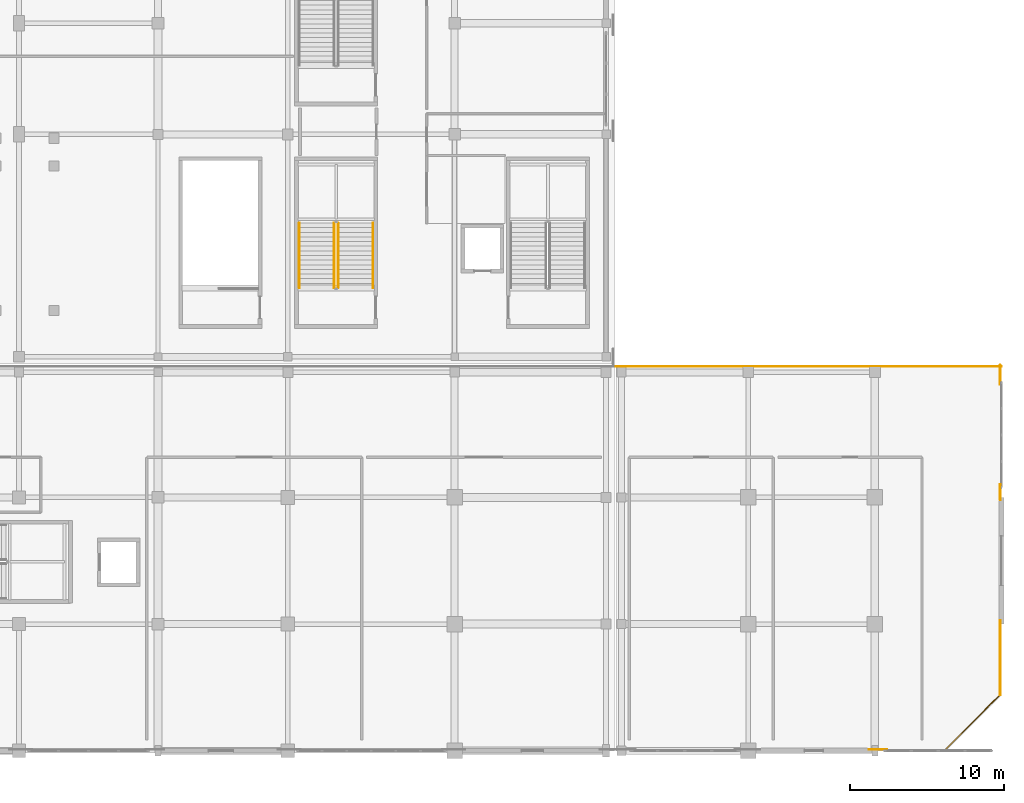
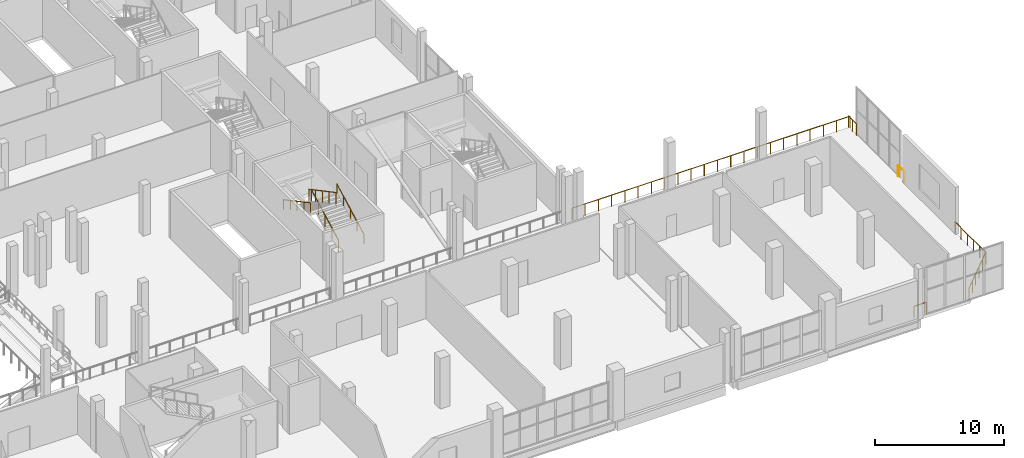
# One storey, part 116 of 129: 10 railings.
"""IFC4 building model written with IfcOpenShell, lengths in metres."""

from ifc_helpers import new_model, si_unit, direction, frame, origin, origin_2d, place, context, subcontext, project, spatial, circle, extrude, material, type_object, element, save


model = new_model("IFC4")

# Units and contexts
model_context = context("Model", 3, precision=1e-05, world=origin(), true_north=direction((0.0, 1.0)))
body_context = subcontext(model_context, "Body", "Model", "MODEL_VIEW")
ifc_project = project(units=[si_unit("LENGTHUNIT", "METRE"), si_unit("AREAUNIT", "SQUARE_METRE"), si_unit("VOLUMEUNIT", "CUBIC_METRE"), si_unit("PLANEANGLEUNIT", "RADIAN"), si_unit("MASSUNIT", "GRAM", prefix="KILO")], contexts=[model_context])

# Site, building, storey
site_placement = place(None, origin())
site = spatial("IfcSite", under=ifc_project, at=site_placement, CompositionType="ELEMENT")
building_placement = place(site_placement, origin())
building = spatial("IfcBuilding", under=site, at=building_placement, Name="Koshinbarg Plaza Stadium", CompositionType="ELEMENT")
storey_placement = place(building_placement, frame((0.0, 0.0, 5.39990234375)))
storey = spatial("IfcBuildingStorey", under=building, at=storey_placement, Name="L01", CompositionType="ELEMENT", Elevation=5.39990234375)

# Railings
ifc_material_1 = material(Name="Toughened laminated glass and stainless steel sightline balustrade", Category="steel")
railing_type_1 = type_object("IfcRailingType", Name="RL-BOWL-1100", PredefinedType="BALUSTRADE", material=ifc_material_1)
railing_1_placement = place(storey_placement, frame((219.044921875, 24.875, 0.0)))
element("IfcRailing", 1, at=railing_1_placement, inside=storey, type_object=railing_type_1, Name="L01 deck edge safety balustrade 0081", PredefinedType="BALUSTRADE", context=body_context, shape_type="SweptSolid", body=[
    extrude(circle(Radius=0.02392578125, at=origin_2d()), frame((0.0, 0.0, 1.076171875), z_axis=(1.0, 0.0, 0.0), x_axis=(0.0, 1.0, 0.0)), (0.0, 0.0, 1.0), 24.955078125),
    extrude(circle(Radius=0.02099609375, at=origin_2d()), origin(), (0.0, 0.0, 1.0), 1.052001953125),
    extrude(circle(Radius=0.02099609375, at=origin_2d()), frame((1.188232421875, 0.0, 0.0)), (0.0, 0.0, 1.0), 1.052001953125),
    extrude(circle(Radius=0.02099609375, at=origin_2d()), frame((2.376708984375, 0.0, 0.0)), (0.0, 0.0, 1.0), 1.052001953125),
    extrude(circle(Radius=0.02099609375, at=origin_2d()), frame((3.56494140625, 0.0, 0.0)), (0.0, 0.0, 1.0), 1.052001953125),
    extrude(circle(Radius=0.02099609375, at=origin_2d()), frame((4.75341796875, 0.0, 0.0)), (0.0, 0.0, 1.0), 1.052001953125),
    extrude(circle(Radius=0.02099609375, at=origin_2d()), frame((5.941650390625, 0.0, 0.0)), (0.0, 0.0, 1.0), 1.052001953125),
    extrude(circle(Radius=0.02099609375, at=origin_2d()), frame((7.130126953125, 0.0, 0.0)), (0.0, 0.0, 1.0), 1.052001953125),
    extrude(circle(Radius=0.02099609375, at=origin_2d()), frame((8.318359375, 0.0, 0.0)), (0.0, 0.0, 1.0), 1.052001953125),
    extrude(circle(Radius=0.02099609375, at=origin_2d()), frame((9.506591796875, 0.0, 0.0)), (0.0, 0.0, 1.0), 1.052001953125),
    extrude(circle(Radius=0.02099609375, at=origin_2d()), frame((10.695068359375, 0.0, 0.0)), (0.0, 0.0, 1.0), 1.052001953125),
    extrude(circle(Radius=0.02099609375, at=origin_2d()), frame((11.88330078125, 0.0, 0.0)), (0.0, 0.0, 1.0), 1.052001953125),
    extrude(circle(Radius=0.02099609375, at=origin_2d()), frame((13.07177734375, 0.0, 0.0)), (0.0, 0.0, 1.0), 1.052001953125),
    extrude(circle(Radius=0.02099609375, at=origin_2d()), frame((14.260009765625, 0.0, 0.0)), (0.0, 0.0, 1.0), 1.052001953125),
    extrude(circle(Radius=0.02099609375, at=origin_2d()), frame((15.448486328125, 0.0, 0.0)), (0.0, 0.0, 1.0), 1.052001953125),
    extrude(circle(Radius=0.02099609375, at=origin_2d()), frame((16.63671875, 0.0, 0.0)), (0.0, 0.0, 1.0), 1.052001953125),
    extrude(circle(Radius=0.02099609375, at=origin_2d()), frame((17.824951171875, 0.0, 0.0)), (0.0, 0.0, 1.0), 1.052001953125),
    extrude(circle(Radius=0.02099609375, at=origin_2d()), frame((19.013427734375, 0.0, 0.0)), (0.0, 0.0, 1.0), 1.052001953125),
    extrude(circle(Radius=0.02099609375, at=origin_2d()), frame((20.20166015625, 0.0, 0.0)), (0.0, 0.0, 1.0), 1.052001953125),
    extrude(circle(Radius=0.02099609375, at=origin_2d()), frame((21.39013671875, 0.0, 0.0)), (0.0, 0.0, 1.0), 1.052001953125),
    extrude(circle(Radius=0.02099609375, at=origin_2d()), frame((22.578369140625, 0.0, 0.0)), (0.0, 0.0, 1.0), 1.052001953125),
    extrude(circle(Radius=0.02099609375, at=origin_2d()), frame((23.766845703125, 0.0, 0.0)), (0.0, 0.0, 1.0), 1.052001953125),
    extrude(circle(Radius=0.02099609375, at=origin_2d()), frame((24.955078125, 0.0, 0.0)), (0.0, 0.0, 1.0), 1.052001953125),
])
railing_2_placement = place(storey_placement, frame((243.919921875, 24.955078125, 0.0)))
element("IfcRailing", 2, at=railing_2_placement, inside=storey, type_object=railing_type_1, Name="L01 deck edge safety balustrade 0082", PredefinedType="BALUSTRADE", context=body_context, shape_type="SweptSolid", body=[
    extrude(circle(Radius=0.02392578125, at=origin_2d()), frame((0.0, 0.0, 1.076171875), z_axis=(0.0, -1.0, 0.0), x_axis=(1.0, 0.0, 0.0)), (0.0, 0.0, 1.0), 1.245361328125),
    extrude(circle(Radius=0.02099609375, at=origin_2d()), origin(), (0.0, 0.0, 1.0), 1.052001953125),
    extrude(circle(Radius=0.02099609375, at=origin_2d()), frame((0.0, -0.62255859375, 0.0)), (0.0, 0.0, 1.0), 1.052001953125),
    extrude(circle(Radius=0.02099609375, at=origin_2d()), frame((0.0, -1.245361328125, 0.0)), (0.0, 0.0, 1.0), 1.052001953125),
])
railing_3_placement = place(storey_placement, frame((243.919921875, 17.240234375, 0.0)))
element("IfcRailing", 3, at=railing_3_placement, inside=storey, type_object=railing_type_1, Name="L01 deck edge safety balustrade 0083", PredefinedType="BALUSTRADE", context=body_context, shape_type="SweptSolid", body=[
    extrude(circle(Radius=0.02392578125, at=origin_2d()), frame((0.0, 0.0, 1.076171875), z_axis=(0.0, -1.0, 0.0), x_axis=(1.0, 0.0, 0.0)), (0.0, 0.0, 1.0), 0.997314453125),
    extrude(circle(Radius=0.02099609375, at=origin_2d()), origin(), (0.0, 0.0, 1.0), 1.052001953125),
    extrude(circle(Radius=0.02099609375, at=origin_2d()), frame((0.0, -0.997314453125, 0.0)), (0.0, 0.0, 1.0), 1.052001953125),
])
railing_4_placement = place(storey_placement, frame((243.919921875, 8.429443359375, 0.0)))
element("IfcRailing", 4, at=railing_4_placement, inside=storey, type_object=railing_type_1, Name="L01 deck edge safety balustrade 0084", PredefinedType="BALUSTRADE", context=body_context, shape_type="SweptSolid", body=[
    extrude(circle(Radius=0.02392578125, at=origin_2d()), frame((0.0, 0.0, 1.076171875), z_axis=(0.0, -1.0, 0.0), x_axis=(1.0, 0.0, 0.0)), (0.0, 0.0, 1.0), 4.829345703125),
    extrude(circle(Radius=0.02099609375, at=origin_2d()), origin(), (0.0, 0.0, 1.0), 1.052001953125),
    extrude(circle(Radius=0.02099609375, at=origin_2d()), frame((0.0, -0.9658203125, 0.0)), (0.0, 0.0, 1.0), 1.052001953125),
    extrude(circle(Radius=0.02099609375, at=origin_2d()), frame((0.0, -1.931640625, 0.0)), (0.0, 0.0, 1.0), 1.052001953125),
    extrude(circle(Radius=0.02099609375, at=origin_2d()), frame((0.0, -2.897705078125, 0.0)), (0.0, 0.0, 1.0), 1.052001953125),
    extrude(circle(Radius=0.02099609375, at=origin_2d()), frame((0.0, -3.863525390625, 0.0)), (0.0, 0.0, 1.0), 1.052001953125),
    extrude(circle(Radius=0.02099609375, at=origin_2d()), frame((0.0, -4.829345703125, 0.0)), (0.0, 0.0, 1.0), 1.052001953125),
])
railing_5_placement = place(storey_placement, frame((243.943359375, 3.656494140625, 0.0)))
element("IfcRailing", 5, at=railing_5_placement, inside=storey, type_object=railing_type_1, Name="L01 deck edge safety balustrade 0085", PredefinedType="BALUSTRADE", context=body_context, shape_type="SweptSolid", body=[
    extrude(circle(Radius=0.02392578125, at=origin_2d()), frame((0.0, 0.0, 1.076171875), z_axis=(-0.707106781187, -0.707106781187, 0.0), x_axis=(0.707106781187, -0.707106781187, 0.0)), (0.0, 0.0, 1.0), 5.091064453125),
    extrude(circle(Radius=0.02099609375, at=origin_2d()), origin(), (0.0, 0.0, 1.0), 1.052001953125),
    extrude(circle(Radius=0.02099609375, at=origin_2d()), frame((-0.719970703125, -0.719970703125, 0.0)), (0.0, 0.0, 1.0), 1.052001953125),
    extrude(circle(Radius=0.02099609375, at=origin_2d()), frame((-1.43994140625, -1.43994140625, 0.0)), (0.0, 0.0, 1.0), 1.052001953125),
    extrude(circle(Radius=0.02099609375, at=origin_2d()), frame((-2.159912109375, -2.159912109375, 0.0)), (0.0, 0.0, 1.0), 1.052001953125),
    extrude(circle(Radius=0.02099609375, at=origin_2d()), frame((-2.8798828125, -2.8798828125, 0.0)), (0.0, 0.0, 1.0), 1.052001953125),
    extrude(circle(Radius=0.02099609375, at=origin_2d()), frame((-3.599853515625, -3.599853515625, 0.0)), (0.0, 0.0, 1.0), 1.052001953125),
])
railing_6_placement = place(storey_placement, frame((236.56787109375, 0.080078125, 0.0)))
element("IfcRailing", 6, at=railing_6_placement, inside=storey, type_object=railing_type_1, Name="L01 deck edge safety balustrade 0086", PredefinedType="BALUSTRADE", context=body_context, shape_type="SweptSolid", body=[
    extrude(circle(Radius=0.02392578125, at=origin_2d()), frame((0.0, 0.0, 1.076171875), z_axis=(-1.0, 0.0, 0.0), x_axis=(0.0, -1.0, 0.0)), (0.0, 0.0, 1.0), 1.146484375),
    extrude(circle(Radius=0.02099609375, at=origin_2d()), origin(), (0.0, 0.0, 1.0), 1.052001953125),
    extrude(circle(Radius=0.02099609375, at=origin_2d()), frame((-1.146484375, 0.0, 0.0)), (0.0, 0.0, 1.0), 1.052001953125),
])
ifc_material_2 = material(Name="Galvanized painted steel guardrail", Category="steel")
railing_type_2 = type_object("IfcRailingType", Name="RL-GUARD-1100", PredefinedType="GUARDRAIL", material=ifc_material_2)
railing_7_placement = place(storey_placement, frame((201.06005859375, 29.9599609375, 0.16015625)))
element("IfcRailing", 7, at=railing_7_placement, inside=storey, type_object=railing_type_2, Name="L01 VX07 stair guard 1", PredefinedType="GUARDRAIL", context=body_context, shape_type="SweptSolid", body=[
    extrude(circle(Radius=0.02392578125, at=origin_2d()), frame((0.0, 0.0, 1.076171875), z_axis=(0.0, 0.882351521365, 0.470590897432), x_axis=(-1.0, 0.0, 0.0)), (0.0, 0.0, 1.0), 4.760009765625),
    extrude(circle(Radius=0.02099609375, at=origin_2d()), origin(), (0.0, 0.0, 1.0), 1.052001953125),
    extrude(circle(Radius=0.02099609375, at=origin_2d()), frame((0.0, 1.050048828125, 0.56005859375)), (0.0, 0.0, 1.0), 1.052001953125),
    extrude(circle(Radius=0.02099609375, at=origin_2d()), frame((0.0, 2.10009765625, 1.1201171875)), (0.0, 0.0, 1.0), 1.052001953125),
    extrude(circle(Radius=0.02099609375, at=origin_2d()), frame((0.0, 3.14990234375, 1.679931640625)), (0.0, 0.0, 1.0), 1.052001953125),
    extrude(circle(Radius=0.02099609375, at=origin_2d()), frame((0.0, 4.199951171875, 2.239990234375)), (0.0, 0.0, 1.0), 1.052001953125),
])
railing_8_placement = place(storey_placement, frame((200.81005859375, 34.159912109375, 2.56005859375)))
element("IfcRailing", 8, at=railing_8_placement, inside=storey, type_object=railing_type_2, Name="L01 VX07 stair guard 3", PredefinedType="GUARDRAIL", context=body_context, shape_type="SweptSolid", body=[
    extrude(circle(Radius=0.02392578125, at=origin_2d()), frame((0.0, 0.0, 1.076171875), z_axis=(0.0, -0.882351521365, 0.470590897432), x_axis=(1.0, 0.0, 0.0)), (0.0, 0.0, 1.0), 4.760009765625),
    extrude(circle(Radius=0.02099609375, at=origin_2d()), origin(), (0.0, 0.0, 1.0), 1.052001953125),
    extrude(circle(Radius=0.02099609375, at=origin_2d()), frame((0.0, -1.050048828125, 0.56005859375)), (0.0, 0.0, 1.0), 1.052001953125),
    extrude(circle(Radius=0.02099609375, at=origin_2d()), frame((0.0, -2.10009765625, 1.1201171875)), (0.0, 0.0, 1.0), 1.052001953125),
    extrude(circle(Radius=0.02099609375, at=origin_2d()), frame((0.0, -3.14990234375, 1.679931640625)), (0.0, 0.0, 1.0), 1.052001953125),
    extrude(circle(Radius=0.02099609375, at=origin_2d()), frame((0.0, -4.199951171875, 2.239990234375)), (0.0, 0.0, 1.0), 1.052001953125),
])
ifc_material_3 = material(Name="Brushed stainless steel handrail", Category="steel")
railing_type_3 = type_object("IfcRailingType", Name="RL-HAND-900", PredefinedType="HANDRAIL", material=ifc_material_3)
railing_9_placement = place(storey_placement, frame((203.320068359375, 29.9599609375, 0.16015625)))
element("IfcRailing", 9, at=railing_9_placement, inside=storey, type_object=railing_type_3, Name="L01 VX07 stair handrail 1", PredefinedType="HANDRAIL", context=body_context, shape_type="SweptSolid", body=[
    extrude(circle(Radius=0.02392578125, at=origin_2d()), frame((0.0, 0.0, 0.8759765625), z_axis=(0.0, 0.882351521365, 0.470590897432), x_axis=(-1.0, 0.0, 0.0)), (0.0, 0.0, 1.0), 4.760009765625),
    extrude(circle(Radius=0.02099609375, at=origin_2d()), origin(), (0.0, 0.0, 1.0), 0.851806640625),
    extrude(circle(Radius=0.02099609375, at=origin_2d()), frame((0.0, 1.050048828125, 0.56005859375)), (0.0, 0.0, 1.0), 0.851806640625),
    extrude(circle(Radius=0.02099609375, at=origin_2d()), frame((0.0, 2.10009765625, 1.1201171875)), (0.0, 0.0, 1.0), 0.851806640625),
    extrude(circle(Radius=0.02099609375, at=origin_2d()), frame((0.0, 3.14990234375, 1.679931640625)), (0.0, 0.0, 1.0), 0.851806640625),
    extrude(circle(Radius=0.02099609375, at=origin_2d()), frame((0.0, 4.199951171875, 2.239990234375)), (0.0, 0.0, 1.0), 0.851806640625),
])
railing_10_placement = place(storey_placement, frame((198.550048828125, 34.159912109375, 2.56005859375)))
element("IfcRailing", 10, at=railing_10_placement, inside=storey, type_object=railing_type_3, Name="L01 VX07 stair handrail 2", PredefinedType="HANDRAIL", context=body_context, shape_type="SweptSolid", body=[
    extrude(circle(Radius=0.02392578125, at=origin_2d()), frame((0.0, 0.0, 0.8759765625), z_axis=(0.0, -0.882351521365, 0.470590897432), x_axis=(1.0, 0.0, 0.0)), (0.0, 0.0, 1.0), 4.760009765625),
    extrude(circle(Radius=0.02099609375, at=origin_2d()), origin(), (0.0, 0.0, 1.0), 0.851806640625),
    extrude(circle(Radius=0.02099609375, at=origin_2d()), frame((0.0, -1.050048828125, 0.56005859375)), (0.0, 0.0, 1.0), 0.851806640625),
    extrude(circle(Radius=0.02099609375, at=origin_2d()), frame((0.0, -2.10009765625, 1.1201171875)), (0.0, 0.0, 1.0), 0.851806640625),
    extrude(circle(Radius=0.02099609375, at=origin_2d()), frame((0.0, -3.14990234375, 1.679931640625)), (0.0, 0.0, 1.0), 0.851806640625),
    extrude(circle(Radius=0.02099609375, at=origin_2d()), frame((0.0, -4.199951171875, 2.239990234375)), (0.0, 0.0, 1.0), 0.851806640625),
])

save(model, "model.ifc")
